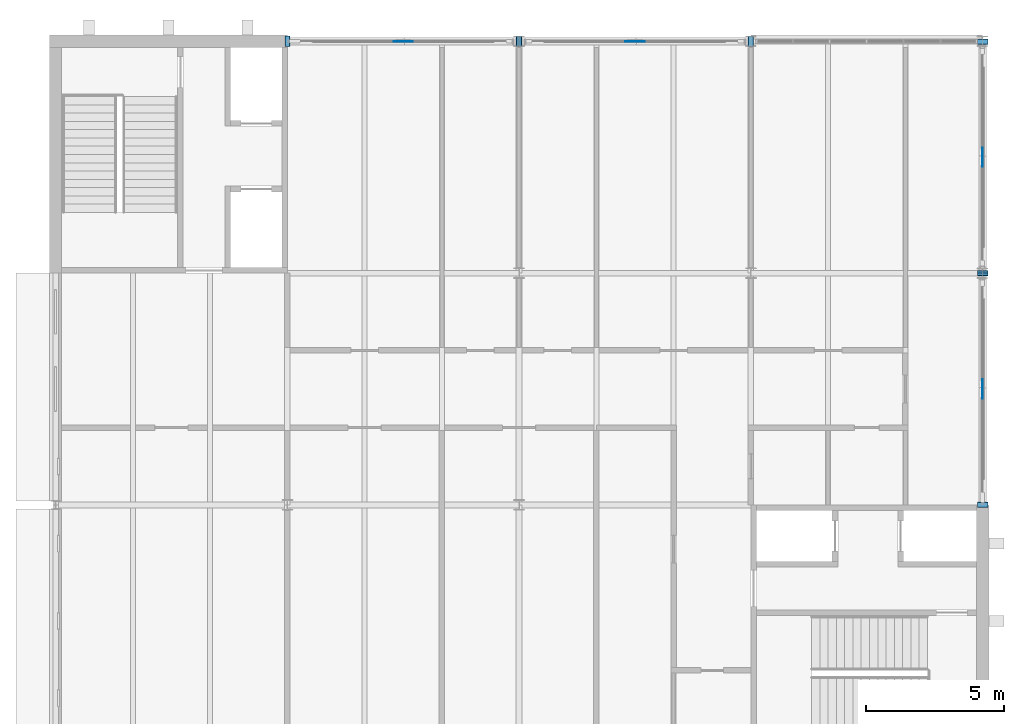
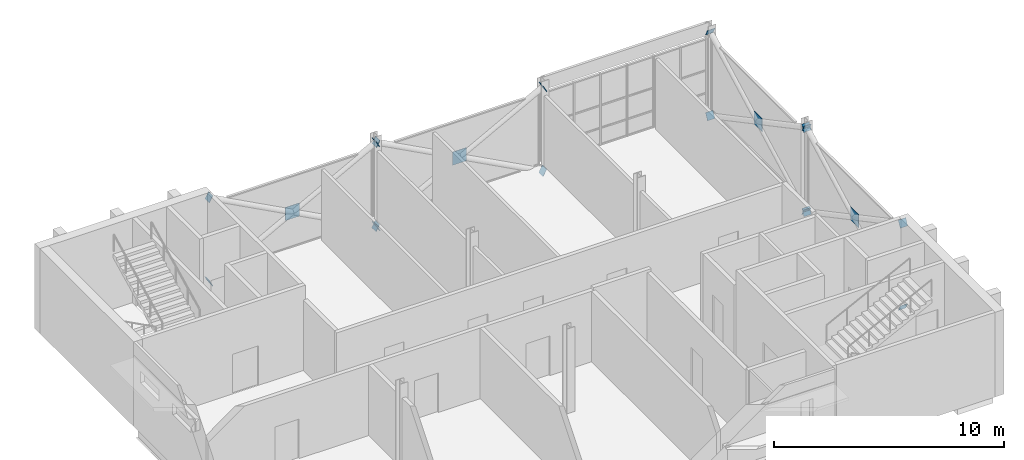
# One storey, part 20 of 22: 20 discrete accessories.
"""IFC4 building model written with IfcOpenShell, lengths in metres."""

from ifc_helpers import new_model, si_unit, direction, frame, origin, origin_2d, place, context, subcontext, project, spatial, rectangle, extrude, material, material_profile, profile_set, type_object, element, save


model = new_model("IFC4")

# Units and contexts
model_context = context("Model", 3, precision=1e-05, world=origin(), true_north=direction((0.0, 1.0)))
body_context = subcontext(model_context, "Body", "Model", "MODEL_VIEW")
ifc_project = project(units=[si_unit("LENGTHUNIT", "METRE"), si_unit("AREAUNIT", "SQUARE_METRE"), si_unit("VOLUMEUNIT", "CUBIC_METRE"), si_unit("PLANEANGLEUNIT", "RADIAN"), si_unit("MASSUNIT", "GRAM", prefix="KILO")], contexts=[model_context])

# Site, building, storey
site_placement = place(None, origin())
site = spatial("IfcSite", under=ifc_project, at=site_placement, CompositionType="ELEMENT")
building_placement = place(site_placement, origin())
building = spatial("IfcBuilding", under=site, at=building_placement, Name="Ardhachandra Cancer Care Centre", CompositionType="ELEMENT")
storey_placement = place(building_placement, frame((0.0, 0.0, 18.0)))
storey = spatial("IfcBuildingStorey", under=building, at=storey_placement, Name="L04", CompositionType="ELEMENT", Elevation=18.0)

# Discrete accessories
ifc_material_1 = material(Name="Steel E250 (IS 2062)", Category="steel")
ifc_material_profile_1 = material_profile(ifc_material_1, rectangle(XDim=0.373046875, YDim=0.373046875, at=origin_2d()), Name="PL 373x373x20")
ifc_profile_set_1 = profile_set([ifc_material_profile_1], Name="Steel E250 (IS 2062)")
discrete_accessory_type_1 = type_object("IfcDiscreteAccessoryType", Name="Brace end plate 373 x 373 x 20", PredefinedType="BRACKET", material=ifc_profile_set_1)
for number, where, z_axis, x_axis, name in (
    (1, (120.0, 105.0, -0.39990234375), (0.884384752847, 0.0, 0.466758619558), (0.0, 1.0, 0.0), "Brace end plate V5-X1050-1200 L04 A0"),
    (2, (128.39990234375, 105.0, 4.074951171875), (-0.884384752847, 0.0, -0.466758619558), (0.0, -1.0, 0.0), "Brace end plate V5-X1050-1200 L04 A1"),
    (3, (128.39990234375, 105.0, -0.39990234375), (-0.884384752847, 0.0, 0.466758619558), (0.0, -1.0, 0.0), "Brace end plate V5-X1050-1200 L04 B10"),
    (4, (120.0, 105.0, 4.074951171875), (0.884384752847, 0.0, -0.466758619558), (0.0, 1.0, 0.0), "Brace end plate V5-X1050-1200 L04 B21"),
):
    element("IfcDiscreteAccessory", number, at=place(storey_placement, frame(where, z_axis=z_axis, x_axis=x_axis)), inside=storey, type_object=discrete_accessory_type_1, Name=name, PredefinedType="BRACKET", context=body_context, shape_type="SweptSolid", body=[
        extrude(rectangle(XDim=0.373046875, YDim=0.373046875, at=origin_2d()), origin(), (0.0, 0.0, 1.0), 0.019775390625),
    ])
discrete_accessory_1_placement = place(storey_placement, frame((128.39990234375, 105.0, -0.39990234375), z_axis=(0.887017774073, 0.0, 0.461735279655), x_axis=(0.0, 1.0, 0.0)))
element("IfcDiscreteAccessory", 5, at=discrete_accessory_1_placement, inside=storey, type_object=discrete_accessory_type_1, Name="Brace end plate V5-X1050-1284 L04 A0", PredefinedType="BRACKET", context=body_context, shape_type="SweptSolid", body=[
    extrude(rectangle(XDim=0.373046875, YDim=0.373046875, at=origin_2d()), origin(), (0.0, 0.0, 1.0), 0.02001953125),
])
for number, where, z_axis, x_axis, name in (
    (6, (136.800048828125, 105.0, 4.074951171875), (-0.884384752847, 0.0, -0.466758619558), (0.0, -1.0, 0.0), "Brace end plate V5-X1050-1284 L04 A1"),
    (7, (136.800048828125, 105.0, -0.39990234375), (-0.884384752847, 0.0, 0.466758619558), (0.0, -1.0, 0.0), "Brace end plate V5-X1050-1284 L04 B10"),
):
    element("IfcDiscreteAccessory", number, at=place(storey_placement, frame(where, z_axis=z_axis, x_axis=x_axis)), inside=storey, type_object=discrete_accessory_type_1, Name=name, PredefinedType="BRACKET", context=body_context, shape_type="SweptSolid", body=[
        extrude(rectangle(XDim=0.373046875, YDim=0.373046875, at=origin_2d()), origin(), (0.0, 0.0, 1.0), 0.019775390625),
    ])
discrete_accessory_2_placement = place(storey_placement, frame((128.39990234375, 105.0, 4.074951171875), z_axis=(0.887017774073, 0.0, -0.461735279655), x_axis=(0.0, 1.0, 0.0)))
element("IfcDiscreteAccessory", 8, at=discrete_accessory_2_placement, inside=storey, type_object=discrete_accessory_type_1, Name="Brace end plate V5-X1050-1284 L04 B21", PredefinedType="BRACKET", context=body_context, shape_type="SweptSolid", body=[
    extrude(rectangle(XDim=0.373046875, YDim=0.373046875, at=origin_2d()), origin(), (0.0, 0.0, 1.0), 0.02001953125),
])
discrete_accessory_3_placement = place(storey_placement, frame((145.199951171875, 88.199951171875, -0.39990234375), z_axis=(0.0, 0.884384752847, 0.466758619558), x_axis=(-1.0, 0.0, 0.0)))
element("IfcDiscreteAccessory", 9, at=discrete_accessory_3_placement, inside=storey, type_object=discrete_accessory_type_1, Name="Brace end plate V5-Y1452-882 L04 A0", PredefinedType="BRACKET", context=body_context, shape_type="SweptSolid", body=[
    extrude(rectangle(XDim=0.373046875, YDim=0.373046875, at=origin_2d()), origin(), (0.0, 0.0, 1.0), 0.019775390625),
])
for number, where, z_axis, x_axis, name in (
    (10, (145.199951171875, 96.60009765625, 4.074951171875), (0.0, -0.887017774073, -0.461735279655), (1.0, 0.0, 0.0), "Brace end plate V5-Y1452-882 L04 A1"),
    (11, (145.199951171875, 96.60009765625, -0.39990234375), (0.0, -0.887017774073, 0.461735279655), (1.0, 0.0, 0.0), "Brace end plate V5-Y1452-882 L04 B10"),
):
    element("IfcDiscreteAccessory", number, at=place(storey_placement, frame(where, z_axis=z_axis, x_axis=x_axis)), inside=storey, type_object=discrete_accessory_type_1, Name=name, PredefinedType="BRACKET", context=body_context, shape_type="SweptSolid", body=[
        extrude(rectangle(XDim=0.373046875, YDim=0.373046875, at=origin_2d()), origin(), (0.0, 0.0, 1.0), 0.02001953125),
    ])
for number, where, z_axis, x_axis, name in (
    (12, (145.199951171875, 88.199951171875, 4.074951171875), (0.0, 0.884384752847, -0.466758619558), (-1.0, 0.0, 0.0), "Brace end plate V5-Y1452-882 L04 B21"),
    (13, (145.199951171875, 96.60009765625, -0.39990234375), (0.0, 0.884384752847, 0.466758619558), (-1.0, 0.0, 0.0), "Brace end plate V5-Y1452-966 L04 A0"),
    (14, (145.199951171875, 105.0, 4.074951171875), (0.0, -0.884384752847, -0.466758619558), (1.0, 0.0, 0.0), "Brace end plate V5-Y1452-966 L04 A1"),
    (15, (145.199951171875, 105.0, -0.39990234375), (0.0, -0.884384752847, 0.466758619558), (1.0, 0.0, 0.0), "Brace end plate V5-Y1452-966 L04 B10"),
    (16, (145.199951171875, 96.60009765625, 4.074951171875), (0.0, 0.884384752847, -0.466758619558), (-1.0, 0.0, 0.0), "Brace end plate V5-Y1452-966 L04 B21"),
):
    element("IfcDiscreteAccessory", number, at=place(storey_placement, frame(where, z_axis=z_axis, x_axis=x_axis)), inside=storey, type_object=discrete_accessory_type_1, Name=name, PredefinedType="BRACKET", context=body_context, shape_type="SweptSolid", body=[
        extrude(rectangle(XDim=0.373046875, YDim=0.373046875, at=origin_2d()), origin(), (0.0, 0.0, 1.0), 0.019775390625),
    ])
ifc_material_2 = material(Name="Steel E250 (IS 2062)", Category="steel")
ifc_material_profile_2 = material_profile(ifc_material_2, rectangle(XDim=0.699951171875, YDim=0.699951171875, at=origin_2d()), Name="PL 700x700x20")
ifc_profile_set_2 = profile_set([ifc_material_profile_2], Name="Steel E250 (IS 2062)")
discrete_accessory_type_2 = type_object("IfcDiscreteAccessoryType", Name="Brace node plate 700 x 700 x 20", PredefinedType="BRACKET", material=ifc_profile_set_2)
for number, where, z_axis, x_axis, name in (
    (17, (124.199951171875, 104.989990234375, 1.83740234375), (0.0, 1.0, 0.0), (-1.0, 0.0, 0.0), "Brace node plate V5-X1050-1200 L04"),
    (18, (132.60009765625, 104.989990234375, 1.83740234375), (0.0, 1.0, 0.0), (-1.0, 0.0, 0.0), "Brace node plate V5-X1050-1284 L04"),
    (19, (145.18994140625, 92.39990234375, 1.83740234375), (1.0, 0.0, 0.0), (0.0, 1.0, 0.0), "Brace node plate V5-Y1452-882 L04"),
    (20, (145.18994140625, 100.800048828125, 1.83740234375), (1.0, 0.0, 0.0), (0.0, 1.0, 0.0), "Brace node plate V5-Y1452-966 L04"),
):
    element("IfcDiscreteAccessory", number, at=place(storey_placement, frame(where, z_axis=z_axis, x_axis=x_axis)), inside=storey, type_object=discrete_accessory_type_2, Name=name, PredefinedType="BRACKET", context=body_context, shape_type="SweptSolid", body=[
        extrude(rectangle(XDim=0.699951171875, YDim=0.699951171875, at=origin_2d()), origin(), (0.0, 0.0, 1.0), 0.02001953125),
    ])

save(model, "model.ifc")
